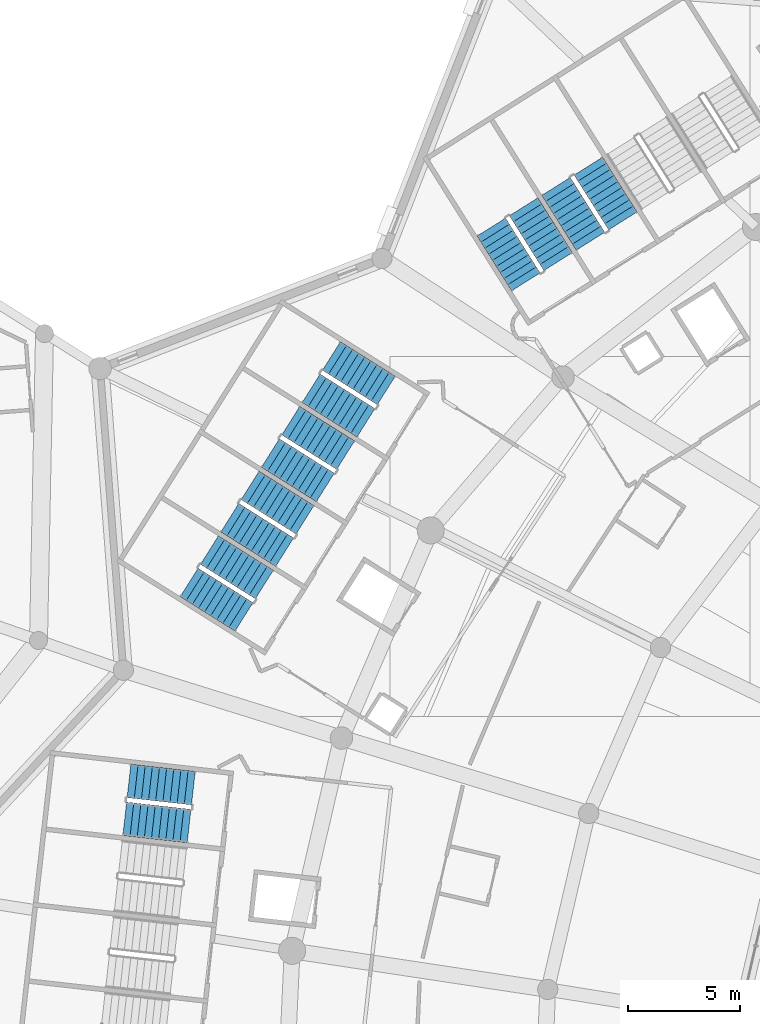
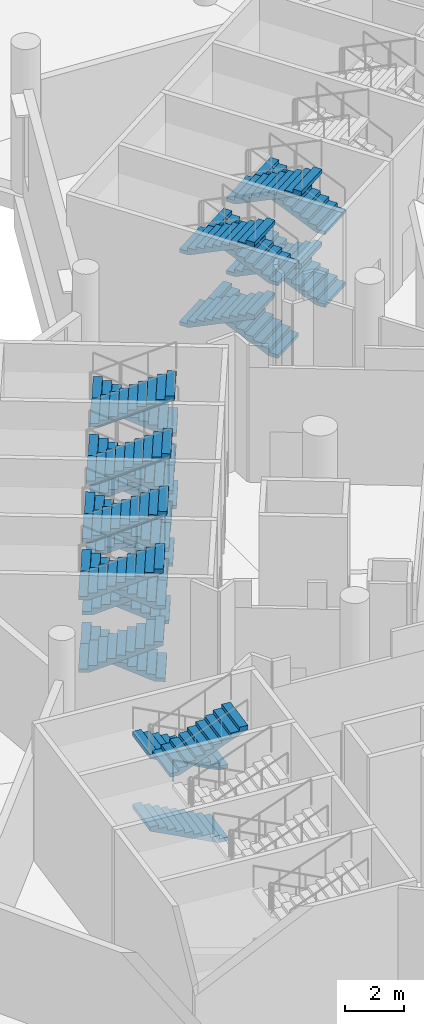
# One storey, part 192 of 249: 27 stair flights, 7 elements without a shape of their own.
"""IFC4 building model written with IfcOpenShell, lengths in metres."""

from ifc_helpers import new_model, si_unit, direction, frame, origin, place, context, subcontext, project, spatial, polyline, outline, extrude, material, type_object, element, aggregate, save


model = new_model("IFC4")

# Units and contexts
model_context = context("Model", 3, precision=1e-05, world=origin(), true_north=direction((0.0, 1.0)))
body_context = subcontext(model_context, "Body", "Model", "MODEL_VIEW")
ifc_project = project(units=[si_unit("LENGTHUNIT", "METRE"), si_unit("AREAUNIT", "SQUARE_METRE"), si_unit("VOLUMEUNIT", "CUBIC_METRE"), si_unit("PLANEANGLEUNIT", "RADIAN"), si_unit("MASSUNIT", "GRAM", prefix="KILO")], contexts=[model_context])

# Site, building, storey
site_placement = place(None, origin())
site = spatial("IfcSite", under=ifc_project, at=site_placement, CompositionType="ELEMENT")
building_placement = place(site_placement, origin())
building = spatial("IfcBuilding", under=site, at=building_placement, Name="Meseta Stadium", CompositionType="ELEMENT")
storey_placement = place(building_placement, frame((0.0, 0.0, 12.0)))
storey = spatial("IfcBuildingStorey", under=building, at=storey_placement, Name="L02", CompositionType="ELEMENT", Elevation=12.0)

# Stair, stair flights
ifc_material_1 = material(Name="Concrete C40/50", Category="concrete")
stair_type = type_object("IfcStairType", Name="Exit stair 4 flights 150 mm risers", PredefinedType="HALF_TURN_STAIR", material=ifc_material_1)
stair_1_placement = place(storey_placement, origin())
stair_1 = element("IfcStair", 1, at=stair_1_placement, inside=storey, type_object=stair_type, Name="ST51 L02", PredefinedType="HALF_TURN_STAIR")
ifc_material_2 = material(Name="Concrete C40/50", Category="concrete")
stair_flight_type = type_object("IfcStairFlightType", Name="Exit stair flight 150 mm risers, 4 per storey", PredefinedType="STRAIGHT", material=ifc_material_2)
stair_flight_1_placement = place(storey_placement, frame((-69.650390625, 86.04150390625, 0.0), z_axis=(0.0, 0.0, 1.0), x_axis=(-0.532032074404, 0.846724200555, 0.0)))
stair_flight_1 = element("IfcStairFlight", 2, at=stair_flight_1_placement, type_object=stair_flight_type, Name="ST51 L02 flight 1", NumberOfRisers=10, NumberOfTreads=9, PredefinedType="STRAIGHT", RiserHeight=0.15, TreadLength=0.32, context=body_context, shape_type="SweptSolid", body=[
    extrude(outline(polyline([(0.0, 0.0), (0.0, 0.14990234375), (0.320068359375, 0.14990234375), (0.320068359375, 0.300048828125), (0.639892578125, 0.300048828125), (0.639892578125, 0.449951171875), (0.9599609375, 0.449951171875), (0.9599609375, 0.60009765625), (1.280029296875, 0.60009765625), (1.280029296875, 0.75), (1.60009765625, 0.75), (1.60009765625, 0.89990234375), (1.919921875, 0.89990234375), (1.919921875, 1.050048828125), (2.239990234375, 1.050048828125), (2.239990234375, 1.199951171875), (2.56005859375, 1.199951171875), (2.56005859375, 1.35009765625), (2.8798828125, 1.35009765625), (2.8798828125, 1.184326171875), (0.353271484375, 0.0), (0.0, 0.0)])), frame((0.0, 0.75, 0.0), z_axis=(0.0, -1.0, 0.0), x_axis=(1.0, 0.0, 0.0)), (0.0, 0.0, 1.0), 1.5),
])
stair_flight_2_placement = place(storey_placement, frame((-72.6220703125, 87.57568359375, 1.5), z_axis=(0.0, 0.0, 1.0), x_axis=(0.532032074404, -0.846724200555, 0.0)))
stair_flight_2 = element("IfcStairFlight", 3, at=stair_flight_2_placement, type_object=stair_flight_type, Name="ST51 L02 flight 2", NumberOfRisers=10, NumberOfTreads=9, PredefinedType="STRAIGHT", RiserHeight=0.15, TreadLength=0.32, context=body_context, shape_type="SweptSolid", body=[
    extrude(outline(polyline([(0.0, 0.0), (0.0, 0.14990234375), (0.320068359375, 0.14990234375), (0.320068359375, 0.300048828125), (0.639892578125, 0.300048828125), (0.639892578125, 0.449951171875), (0.9599609375, 0.449951171875), (0.9599609375, 0.60009765625), (1.280029296875, 0.60009765625), (1.280029296875, 0.75), (1.60009765625, 0.75), (1.60009765625, 0.89990234375), (1.919921875, 0.89990234375), (1.919921875, 1.050048828125), (2.239990234375, 1.050048828125), (2.239990234375, 1.199951171875), (2.56005859375, 1.199951171875), (2.56005859375, 1.35009765625), (2.8798828125, 1.35009765625), (2.8798828125, 1.184326171875), (0.353271484375, 0.0), (0.0, 0.0)])), frame((0.0, 0.75, 0.0), z_axis=(0.0, -1.0, 0.0), x_axis=(1.0, 0.0, 0.0)), (0.0, 0.0, 1.0), 1.5),
])
stair_flight_3_placement = place(storey_placement, frame((-69.650390625, 86.04150390625, 3.0), z_axis=(0.0, 0.0, 1.0), x_axis=(-0.532032074404, 0.846724200555, 0.0)))
stair_flight_3 = element("IfcStairFlight", 4, at=stair_flight_3_placement, type_object=stair_flight_type, Name="ST51 L02 flight 3", NumberOfRisers=10, NumberOfTreads=9, PredefinedType="STRAIGHT", RiserHeight=0.15, TreadLength=0.32, context=body_context, shape_type="SweptSolid", body=[
    extrude(outline(polyline([(0.0, 0.0), (0.0, 0.14990234375), (0.320068359375, 0.14990234375), (0.320068359375, 0.300048828125), (0.639892578125, 0.300048828125), (0.639892578125, 0.449951171875), (0.9599609375, 0.449951171875), (0.9599609375, 0.60009765625), (1.280029296875, 0.60009765625), (1.280029296875, 0.75), (1.60009765625, 0.75), (1.60009765625, 0.89990234375), (1.919921875, 0.89990234375), (1.919921875, 1.050048828125), (2.239990234375, 1.050048828125), (2.239990234375, 1.199951171875), (2.56005859375, 1.199951171875), (2.56005859375, 1.35009765625), (2.8798828125, 1.35009765625), (2.8798828125, 1.184326171875), (0.353271484375, 0.0), (0.0, 0.0)])), frame((0.0, 0.75, 0.0), z_axis=(0.0, -1.0, 0.0), x_axis=(1.0, 0.0, 0.0)), (0.0, 0.0, 1.0), 1.5),
])
stair_flight_4_placement = place(storey_placement, frame((-72.6220703125, 87.57568359375, 4.5), z_axis=(0.0, 0.0, 1.0), x_axis=(0.532032074404, -0.846724200555, 0.0)))
stair_flight_4 = element("IfcStairFlight", 5, at=stair_flight_4_placement, type_object=stair_flight_type, Name="ST51 L02 flight 4", NumberOfRisers=10, NumberOfTreads=9, PredefinedType="STRAIGHT", RiserHeight=0.15, TreadLength=0.32, context=body_context, shape_type="SweptSolid", body=[
    extrude(outline(polyline([(0.0, 0.0), (0.0, 0.14990234375), (0.320068359375, 0.14990234375), (0.320068359375, 0.300048828125), (0.639892578125, 0.300048828125), (0.639892578125, 0.449951171875), (0.9599609375, 0.449951171875), (0.9599609375, 0.60009765625), (1.280029296875, 0.60009765625), (1.280029296875, 0.75), (1.60009765625, 0.75), (1.60009765625, 0.89990234375), (1.919921875, 0.89990234375), (1.919921875, 1.050048828125), (2.239990234375, 1.050048828125), (2.239990234375, 1.199951171875), (2.56005859375, 1.199951171875), (2.56005859375, 1.35009765625), (2.8798828125, 1.35009765625), (2.8798828125, 1.184326171875), (0.353271484375, 0.0), (0.0, 0.0)])), frame((0.0, 0.75, 0.0), z_axis=(0.0, -1.0, 0.0), x_axis=(1.0, 0.0, 0.0)), (0.0, 0.0, 1.0), 1.5),
])
aggregate(stair_1, [stair_flight_1, stair_flight_2, stair_flight_3, stair_flight_4])

stair_2_placement = place(storey_placement, origin())
stair_2 = element("IfcStair", 6, at=stair_2_placement, inside=storey, type_object=stair_type, Name="ST52 L02", PredefinedType="HALF_TURN_STAIR")
stair_flight_5_placement = place(storey_placement, frame((-72.529052734375, 84.232666015625, 0.0), z_axis=(0.0, 0.0, 1.0), x_axis=(-0.532032074404, 0.846724200555, 0.0)))
stair_flight_5 = element("IfcStairFlight", 7, at=stair_flight_5_placement, type_object=stair_flight_type, Name="ST52 L02 flight 1", NumberOfRisers=10, NumberOfTreads=9, PredefinedType="STRAIGHT", RiserHeight=0.15, TreadLength=0.32, context=body_context, shape_type="SweptSolid", body=[
    extrude(outline(polyline([(0.0, 0.0), (0.0, 0.14990234375), (0.320068359375, 0.14990234375), (0.320068359375, 0.300048828125), (0.639892578125, 0.300048828125), (0.639892578125, 0.449951171875), (0.9599609375, 0.449951171875), (0.9599609375, 0.60009765625), (1.280029296875, 0.60009765625), (1.280029296875, 0.75), (1.60009765625, 0.75), (1.60009765625, 0.89990234375), (1.919921875, 0.89990234375), (1.919921875, 1.050048828125), (2.239990234375, 1.050048828125), (2.239990234375, 1.199951171875), (2.56005859375, 1.199951171875), (2.56005859375, 1.35009765625), (2.8798828125, 1.35009765625), (2.8798828125, 1.184326171875), (0.353271484375, 0.0), (0.0, 0.0)])), frame((0.0, 0.75, 0.0), z_axis=(0.0, -1.0, 0.0), x_axis=(1.0, 0.0, 0.0)), (0.0, 0.0, 1.0), 1.5),
])
stair_flight_6_placement = place(storey_placement, frame((-75.500732421875, 85.766845703125, 1.5), z_axis=(0.0, 0.0, 1.0), x_axis=(0.532032074404, -0.846724200555, 0.0)))
stair_flight_6 = element("IfcStairFlight", 8, at=stair_flight_6_placement, type_object=stair_flight_type, Name="ST52 L02 flight 2", NumberOfRisers=10, NumberOfTreads=9, PredefinedType="STRAIGHT", RiserHeight=0.15, TreadLength=0.32, context=body_context, shape_type="SweptSolid", body=[
    extrude(outline(polyline([(0.0, 0.0), (0.0, 0.14990234375), (0.320068359375, 0.14990234375), (0.320068359375, 0.300048828125), (0.639892578125, 0.300048828125), (0.639892578125, 0.449951171875), (0.9599609375, 0.449951171875), (0.9599609375, 0.60009765625), (1.280029296875, 0.60009765625), (1.280029296875, 0.75), (1.60009765625, 0.75), (1.60009765625, 0.89990234375), (1.919921875, 0.89990234375), (1.919921875, 1.050048828125), (2.239990234375, 1.050048828125), (2.239990234375, 1.199951171875), (2.56005859375, 1.199951171875), (2.56005859375, 1.35009765625), (2.8798828125, 1.35009765625), (2.8798828125, 1.184326171875), (0.353271484375, 0.0), (0.0, 0.0)])), frame((0.0, 0.75, 0.0), z_axis=(0.0, -1.0, 0.0), x_axis=(1.0, 0.0, 0.0)), (0.0, 0.0, 1.0), 1.5),
])
stair_flight_7_placement = place(storey_placement, frame((-72.529052734375, 84.232666015625, 3.0), z_axis=(0.0, 0.0, 1.0), x_axis=(-0.532032074404, 0.846724200555, 0.0)))
stair_flight_7 = element("IfcStairFlight", 9, at=stair_flight_7_placement, type_object=stair_flight_type, Name="ST52 L02 flight 3", NumberOfRisers=10, NumberOfTreads=9, PredefinedType="STRAIGHT", RiserHeight=0.15, TreadLength=0.32, context=body_context, shape_type="SweptSolid", body=[
    extrude(outline(polyline([(0.0, 0.0), (0.0, 0.14990234375), (0.320068359375, 0.14990234375), (0.320068359375, 0.300048828125), (0.639892578125, 0.300048828125), (0.639892578125, 0.449951171875), (0.9599609375, 0.449951171875), (0.9599609375, 0.60009765625), (1.280029296875, 0.60009765625), (1.280029296875, 0.75), (1.60009765625, 0.75), (1.60009765625, 0.89990234375), (1.919921875, 0.89990234375), (1.919921875, 1.050048828125), (2.239990234375, 1.050048828125), (2.239990234375, 1.199951171875), (2.56005859375, 1.199951171875), (2.56005859375, 1.35009765625), (2.8798828125, 1.35009765625), (2.8798828125, 1.184326171875), (0.353271484375, 0.0), (0.0, 0.0)])), frame((0.0, 0.75, 0.0), z_axis=(0.0, -1.0, 0.0), x_axis=(1.0, 0.0, 0.0)), (0.0, 0.0, 1.0), 1.5),
])
stair_flight_8_placement = place(storey_placement, frame((-75.500732421875, 85.766845703125, 4.5), z_axis=(0.0, 0.0, 1.0), x_axis=(0.532032074404, -0.846724200555, 0.0)))
stair_flight_8 = element("IfcStairFlight", 10, at=stair_flight_8_placement, type_object=stair_flight_type, Name="ST52 L02 flight 4", NumberOfRisers=10, NumberOfTreads=9, PredefinedType="STRAIGHT", RiserHeight=0.15, TreadLength=0.32, context=body_context, shape_type="SweptSolid", body=[
    extrude(outline(polyline([(0.0, 0.0), (0.0, 0.14990234375), (0.320068359375, 0.14990234375), (0.320068359375, 0.300048828125), (0.639892578125, 0.300048828125), (0.639892578125, 0.449951171875), (0.9599609375, 0.449951171875), (0.9599609375, 0.60009765625), (1.280029296875, 0.60009765625), (1.280029296875, 0.75), (1.60009765625, 0.75), (1.60009765625, 0.89990234375), (1.919921875, 0.89990234375), (1.919921875, 1.050048828125), (2.239990234375, 1.050048828125), (2.239990234375, 1.199951171875), (2.56005859375, 1.199951171875), (2.56005859375, 1.35009765625), (2.8798828125, 1.35009765625), (2.8798828125, 1.184326171875), (0.353271484375, 0.0), (0.0, 0.0)])), frame((0.0, 0.75, 0.0), z_axis=(0.0, -1.0, 0.0), x_axis=(1.0, 0.0, 0.0)), (0.0, 0.0, 1.0), 1.5),
])
aggregate(stair_2, [stair_flight_5, stair_flight_6, stair_flight_7, stair_flight_8])

stair_3_placement = place(storey_placement, origin())
stair_3 = element("IfcStair", 11, at=stair_3_placement, inside=storey, type_object=stair_type, Name="ST53 L02", PredefinedType="HALF_TURN_STAIR")
stair_flight_9_placement = place(storey_placement, frame((-80.175048828125, 78.500732421875, 0.0), z_axis=(0.0, 0.0, 1.0), x_axis=(-0.846724200555, 0.532032074404, 0.0)))
stair_flight_9 = element("IfcStairFlight", 12, at=stair_flight_9_placement, type_object=stair_flight_type, Name="ST53 L02 flight 1", NumberOfRisers=10, NumberOfTreads=9, PredefinedType="STRAIGHT", RiserHeight=0.15, TreadLength=0.32, context=body_context, shape_type="SweptSolid", body=[
    extrude(outline(polyline([(0.0, 0.0), (0.0, 0.14990234375), (0.320068359375, 0.14990234375), (0.320068359375, 0.300048828125), (0.639892578125, 0.300048828125), (0.639892578125, 0.449951171875), (0.9599609375, 0.449951171875), (0.9599609375, 0.60009765625), (1.280029296875, 0.60009765625), (1.280029296875, 0.75), (1.60009765625, 0.75), (1.60009765625, 0.89990234375), (1.919921875, 0.89990234375), (1.919921875, 1.050048828125), (2.239990234375, 1.050048828125), (2.239990234375, 1.199951171875), (2.56005859375, 1.199951171875), (2.56005859375, 1.35009765625), (2.8798828125, 1.35009765625), (2.8798828125, 1.184326171875), (0.353271484375, 0.0), (0.0, 0.0)])), frame((0.0, 0.75, 0.0), z_axis=(0.0, -1.0, 0.0), x_axis=(1.0, 0.0, 0.0)), (0.0, 0.0, 1.0), 1.5),
])
stair_flight_10_placement = place(storey_placement, frame((-83.51806640625, 78.593505859375, 1.5), z_axis=(0.0, 0.0, 1.0), x_axis=(0.846724200555, -0.532032074404, 0.0)))
stair_flight_10 = element("IfcStairFlight", 13, at=stair_flight_10_placement, type_object=stair_flight_type, Name="ST53 L02 flight 2", NumberOfRisers=10, NumberOfTreads=9, PredefinedType="STRAIGHT", RiserHeight=0.15, TreadLength=0.32, context=body_context, shape_type="SweptSolid", body=[
    extrude(outline(polyline([(0.0, 0.0), (0.0, 0.14990234375), (0.320068359375, 0.14990234375), (0.320068359375, 0.300048828125), (0.639892578125, 0.300048828125), (0.639892578125, 0.449951171875), (0.9599609375, 0.449951171875), (0.9599609375, 0.60009765625), (1.280029296875, 0.60009765625), (1.280029296875, 0.75), (1.60009765625, 0.75), (1.60009765625, 0.89990234375), (1.919921875, 0.89990234375), (1.919921875, 1.050048828125), (2.239990234375, 1.050048828125), (2.239990234375, 1.199951171875), (2.56005859375, 1.199951171875), (2.56005859375, 1.35009765625), (2.8798828125, 1.35009765625), (2.8798828125, 1.184326171875), (0.353271484375, 0.0), (0.0, 0.0)])), frame((0.0, 0.75, 0.0), z_axis=(0.0, -1.0, 0.0), x_axis=(1.0, 0.0, 0.0)), (0.0, 0.0, 1.0), 1.5),
])
stair_flight_11_placement = place(storey_placement, frame((-80.175048828125, 78.500732421875, 3.0), z_axis=(0.0, 0.0, 1.0), x_axis=(-0.846724200555, 0.532032074404, 0.0)))
stair_flight_11 = element("IfcStairFlight", 14, at=stair_flight_11_placement, type_object=stair_flight_type, Name="ST53 L02 flight 3", NumberOfRisers=10, NumberOfTreads=9, PredefinedType="STRAIGHT", RiserHeight=0.15, TreadLength=0.32, context=body_context, shape_type="SweptSolid", body=[
    extrude(outline(polyline([(0.0, 0.0), (0.0, 0.14990234375), (0.320068359375, 0.14990234375), (0.320068359375, 0.300048828125), (0.639892578125, 0.300048828125), (0.639892578125, 0.449951171875), (0.9599609375, 0.449951171875), (0.9599609375, 0.60009765625), (1.280029296875, 0.60009765625), (1.280029296875, 0.75), (1.60009765625, 0.75), (1.60009765625, 0.89990234375), (1.919921875, 0.89990234375), (1.919921875, 1.050048828125), (2.239990234375, 1.050048828125), (2.239990234375, 1.199951171875), (2.56005859375, 1.199951171875), (2.56005859375, 1.35009765625), (2.8798828125, 1.35009765625), (2.8798828125, 1.184326171875), (0.353271484375, 0.0), (0.0, 0.0)])), frame((0.0, 0.75, 0.0), z_axis=(0.0, -1.0, 0.0), x_axis=(1.0, 0.0, 0.0)), (0.0, 0.0, 1.0), 1.5),
])
stair_flight_12_placement = place(storey_placement, frame((-83.51806640625, 78.593505859375, 4.5), z_axis=(0.0, 0.0, 1.0), x_axis=(0.846724200555, -0.532032074404, 0.0)))
stair_flight_12 = element("IfcStairFlight", 15, at=stair_flight_12_placement, type_object=stair_flight_type, Name="ST53 L02 flight 4", NumberOfRisers=10, NumberOfTreads=9, PredefinedType="STRAIGHT", RiserHeight=0.15, TreadLength=0.32, context=body_context, shape_type="SweptSolid", body=[
    extrude(outline(polyline([(0.0, 0.0), (0.0, 0.14990234375), (0.320068359375, 0.14990234375), (0.320068359375, 0.300048828125), (0.639892578125, 0.300048828125), (0.639892578125, 0.449951171875), (0.9599609375, 0.449951171875), (0.9599609375, 0.60009765625), (1.280029296875, 0.60009765625), (1.280029296875, 0.75), (1.60009765625, 0.75), (1.60009765625, 0.89990234375), (1.919921875, 0.89990234375), (1.919921875, 1.050048828125), (2.239990234375, 1.050048828125), (2.239990234375, 1.199951171875), (2.56005859375, 1.199951171875), (2.56005859375, 1.35009765625), (2.8798828125, 1.35009765625), (2.8798828125, 1.184326171875), (0.353271484375, 0.0), (0.0, 0.0)])), frame((0.0, 0.75, 0.0), z_axis=(0.0, -1.0, 0.0), x_axis=(1.0, 0.0, 0.0)), (0.0, 0.0, 1.0), 1.5),
])
aggregate(stair_3, [stair_flight_9, stair_flight_10, stair_flight_11, stair_flight_12])

stair_4_placement = place(storey_placement, origin())
stair_4 = element("IfcStair", 16, at=stair_4_placement, inside=storey, type_object=stair_type, Name="ST54 L02", PredefinedType="HALF_TURN_STAIR")
stair_flight_13_placement = place(storey_placement, frame((-81.98388671875, 75.621826171875, 0.0), z_axis=(0.0, 0.0, 1.0), x_axis=(-0.846724200555, 0.532032074404, 0.0)))
stair_flight_13 = element("IfcStairFlight", 17, at=stair_flight_13_placement, type_object=stair_flight_type, Name="ST54 L02 flight 1", NumberOfRisers=10, NumberOfTreads=9, PredefinedType="STRAIGHT", RiserHeight=0.15, TreadLength=0.32, context=body_context, shape_type="SweptSolid", body=[
    extrude(outline(polyline([(0.0, 0.0), (0.0, 0.14990234375), (0.320068359375, 0.14990234375), (0.320068359375, 0.300048828125), (0.639892578125, 0.300048828125), (0.639892578125, 0.449951171875), (0.9599609375, 0.449951171875), (0.9599609375, 0.60009765625), (1.280029296875, 0.60009765625), (1.280029296875, 0.75), (1.60009765625, 0.75), (1.60009765625, 0.89990234375), (1.919921875, 0.89990234375), (1.919921875, 1.050048828125), (2.239990234375, 1.050048828125), (2.239990234375, 1.199951171875), (2.56005859375, 1.199951171875), (2.56005859375, 1.35009765625), (2.8798828125, 1.35009765625), (2.8798828125, 1.184326171875), (0.353271484375, 0.0), (0.0, 0.0)])), frame((0.0, 0.75, 0.0), z_axis=(0.0, -1.0, 0.0), x_axis=(1.0, 0.0, 0.0)), (0.0, 0.0, 1.0), 1.5),
])
stair_flight_14_placement = place(storey_placement, frame((-85.326904296875, 75.714599609375, 1.5), z_axis=(0.0, 0.0, 1.0), x_axis=(0.846724200555, -0.532032074404, 0.0)))
stair_flight_14 = element("IfcStairFlight", 18, at=stair_flight_14_placement, type_object=stair_flight_type, Name="ST54 L02 flight 2", NumberOfRisers=10, NumberOfTreads=9, PredefinedType="STRAIGHT", RiserHeight=0.15, TreadLength=0.32, context=body_context, shape_type="SweptSolid", body=[
    extrude(outline(polyline([(0.0, 0.0), (0.0, 0.14990234375), (0.320068359375, 0.14990234375), (0.320068359375, 0.300048828125), (0.639892578125, 0.300048828125), (0.639892578125, 0.449951171875), (0.9599609375, 0.449951171875), (0.9599609375, 0.60009765625), (1.280029296875, 0.60009765625), (1.280029296875, 0.75), (1.60009765625, 0.75), (1.60009765625, 0.89990234375), (1.919921875, 0.89990234375), (1.919921875, 1.050048828125), (2.239990234375, 1.050048828125), (2.239990234375, 1.199951171875), (2.56005859375, 1.199951171875), (2.56005859375, 1.35009765625), (2.8798828125, 1.35009765625), (2.8798828125, 1.184326171875), (0.353271484375, 0.0), (0.0, 0.0)])), frame((0.0, 0.75, 0.0), z_axis=(0.0, -1.0, 0.0), x_axis=(1.0, 0.0, 0.0)), (0.0, 0.0, 1.0), 1.5),
])
stair_flight_15_placement = place(storey_placement, frame((-81.98388671875, 75.621826171875, 3.0), z_axis=(0.0, 0.0, 1.0), x_axis=(-0.846724200555, 0.532032074404, 0.0)))
stair_flight_15 = element("IfcStairFlight", 19, at=stair_flight_15_placement, type_object=stair_flight_type, Name="ST54 L02 flight 3", NumberOfRisers=10, NumberOfTreads=9, PredefinedType="STRAIGHT", RiserHeight=0.15, TreadLength=0.32, context=body_context, shape_type="SweptSolid", body=[
    extrude(outline(polyline([(0.0, 0.0), (0.0, 0.14990234375), (0.320068359375, 0.14990234375), (0.320068359375, 0.300048828125), (0.639892578125, 0.300048828125), (0.639892578125, 0.449951171875), (0.9599609375, 0.449951171875), (0.9599609375, 0.60009765625), (1.280029296875, 0.60009765625), (1.280029296875, 0.75), (1.60009765625, 0.75), (1.60009765625, 0.89990234375), (1.919921875, 0.89990234375), (1.919921875, 1.050048828125), (2.239990234375, 1.050048828125), (2.239990234375, 1.199951171875), (2.56005859375, 1.199951171875), (2.56005859375, 1.35009765625), (2.8798828125, 1.35009765625), (2.8798828125, 1.184326171875), (0.353271484375, 0.0), (0.0, 0.0)])), frame((0.0, 0.75, 0.0), z_axis=(0.0, -1.0, 0.0), x_axis=(1.0, 0.0, 0.0)), (0.0, 0.0, 1.0), 1.5),
])
stair_flight_16_placement = place(storey_placement, frame((-85.326904296875, 75.714599609375, 4.5), z_axis=(0.0, 0.0, 1.0), x_axis=(0.846724200555, -0.532032074404, 0.0)))
stair_flight_16 = element("IfcStairFlight", 20, at=stair_flight_16_placement, type_object=stair_flight_type, Name="ST54 L02 flight 4", NumberOfRisers=10, NumberOfTreads=9, PredefinedType="STRAIGHT", RiserHeight=0.15, TreadLength=0.32, context=body_context, shape_type="SweptSolid", body=[
    extrude(outline(polyline([(0.0, 0.0), (0.0, 0.14990234375), (0.320068359375, 0.14990234375), (0.320068359375, 0.300048828125), (0.639892578125, 0.300048828125), (0.639892578125, 0.449951171875), (0.9599609375, 0.449951171875), (0.9599609375, 0.60009765625), (1.280029296875, 0.60009765625), (1.280029296875, 0.75), (1.60009765625, 0.75), (1.60009765625, 0.89990234375), (1.919921875, 0.89990234375), (1.919921875, 1.050048828125), (2.239990234375, 1.050048828125), (2.239990234375, 1.199951171875), (2.56005859375, 1.199951171875), (2.56005859375, 1.35009765625), (2.8798828125, 1.35009765625), (2.8798828125, 1.184326171875), (0.353271484375, 0.0), (0.0, 0.0)])), frame((0.0, 0.75, 0.0), z_axis=(0.0, -1.0, 0.0), x_axis=(1.0, 0.0, 0.0)), (0.0, 0.0, 1.0), 1.5),
])
aggregate(stair_4, [stair_flight_13, stair_flight_14, stair_flight_15, stair_flight_16])

stair_5_placement = place(storey_placement, origin())
stair_5 = element("IfcStair", 21, at=stair_5_placement, inside=storey, type_object=stair_type, Name="ST55 L02", PredefinedType="HALF_TURN_STAIR")
stair_flight_17_placement = place(storey_placement, frame((-83.792724609375, 72.742919921875, 0.0), z_axis=(0.0, 0.0, 1.0), x_axis=(-0.846724200555, 0.532032074404, 0.0)))
stair_flight_17 = element("IfcStairFlight", 22, at=stair_flight_17_placement, type_object=stair_flight_type, Name="ST55 L02 flight 1", NumberOfRisers=10, NumberOfTreads=9, PredefinedType="STRAIGHT", RiserHeight=0.15, TreadLength=0.32, context=body_context, shape_type="SweptSolid", body=[
    extrude(outline(polyline([(0.0, 0.0), (0.0, 0.14990234375), (0.320068359375, 0.14990234375), (0.320068359375, 0.300048828125), (0.639892578125, 0.300048828125), (0.639892578125, 0.449951171875), (0.9599609375, 0.449951171875), (0.9599609375, 0.60009765625), (1.280029296875, 0.60009765625), (1.280029296875, 0.75), (1.60009765625, 0.75), (1.60009765625, 0.89990234375), (1.919921875, 0.89990234375), (1.919921875, 1.050048828125), (2.239990234375, 1.050048828125), (2.239990234375, 1.199951171875), (2.56005859375, 1.199951171875), (2.56005859375, 1.35009765625), (2.8798828125, 1.35009765625), (2.8798828125, 1.184326171875), (0.353271484375, 0.0), (0.0, 0.0)])), frame((0.0, 0.75, 0.0), z_axis=(0.0, -1.0, 0.0), x_axis=(1.0, 0.0, 0.0)), (0.0, 0.0, 1.0), 1.5),
])
stair_flight_18_placement = place(storey_placement, frame((-87.1357421875, 72.835693359375, 1.5), z_axis=(0.0, 0.0, 1.0), x_axis=(0.846724200555, -0.532032074404, 0.0)))
stair_flight_18 = element("IfcStairFlight", 23, at=stair_flight_18_placement, type_object=stair_flight_type, Name="ST55 L02 flight 2", NumberOfRisers=10, NumberOfTreads=9, PredefinedType="STRAIGHT", RiserHeight=0.15, TreadLength=0.32, context=body_context, shape_type="SweptSolid", body=[
    extrude(outline(polyline([(0.0, 0.0), (0.0, 0.14990234375), (0.320068359375, 0.14990234375), (0.320068359375, 0.300048828125), (0.639892578125, 0.300048828125), (0.639892578125, 0.449951171875), (0.9599609375, 0.449951171875), (0.9599609375, 0.60009765625), (1.280029296875, 0.60009765625), (1.280029296875, 0.75), (1.60009765625, 0.75), (1.60009765625, 0.89990234375), (1.919921875, 0.89990234375), (1.919921875, 1.050048828125), (2.239990234375, 1.050048828125), (2.239990234375, 1.199951171875), (2.56005859375, 1.199951171875), (2.56005859375, 1.35009765625), (2.8798828125, 1.35009765625), (2.8798828125, 1.184326171875), (0.353271484375, 0.0), (0.0, 0.0)])), frame((0.0, 0.75, 0.0), z_axis=(0.0, -1.0, 0.0), x_axis=(1.0, 0.0, 0.0)), (0.0, 0.0, 1.0), 1.5),
])
stair_flight_19_placement = place(storey_placement, frame((-83.792724609375, 72.742919921875, 3.0), z_axis=(0.0, 0.0, 1.0), x_axis=(-0.846724200555, 0.532032074404, 0.0)))
stair_flight_19 = element("IfcStairFlight", 24, at=stair_flight_19_placement, type_object=stair_flight_type, Name="ST55 L02 flight 3", NumberOfRisers=10, NumberOfTreads=9, PredefinedType="STRAIGHT", RiserHeight=0.15, TreadLength=0.32, context=body_context, shape_type="SweptSolid", body=[
    extrude(outline(polyline([(0.0, 0.0), (0.0, 0.14990234375), (0.320068359375, 0.14990234375), (0.320068359375, 0.300048828125), (0.639892578125, 0.300048828125), (0.639892578125, 0.449951171875), (0.9599609375, 0.449951171875), (0.9599609375, 0.60009765625), (1.280029296875, 0.60009765625), (1.280029296875, 0.75), (1.60009765625, 0.75), (1.60009765625, 0.89990234375), (1.919921875, 0.89990234375), (1.919921875, 1.050048828125), (2.239990234375, 1.050048828125), (2.239990234375, 1.199951171875), (2.56005859375, 1.199951171875), (2.56005859375, 1.35009765625), (2.8798828125, 1.35009765625), (2.8798828125, 1.184326171875), (0.353271484375, 0.0), (0.0, 0.0)])), frame((0.0, 0.75, 0.0), z_axis=(0.0, -1.0, 0.0), x_axis=(1.0, 0.0, 0.0)), (0.0, 0.0, 1.0), 1.5),
])
stair_flight_20_placement = place(storey_placement, frame((-87.1357421875, 72.835693359375, 4.5), z_axis=(0.0, 0.0, 1.0), x_axis=(0.846724200555, -0.532032074404, 0.0)))
stair_flight_20 = element("IfcStairFlight", 25, at=stair_flight_20_placement, type_object=stair_flight_type, Name="ST55 L02 flight 4", NumberOfRisers=10, NumberOfTreads=9, PredefinedType="STRAIGHT", RiserHeight=0.15, TreadLength=0.32, context=body_context, shape_type="SweptSolid", body=[
    extrude(outline(polyline([(0.0, 0.0), (0.0, 0.14990234375), (0.320068359375, 0.14990234375), (0.320068359375, 0.300048828125), (0.639892578125, 0.300048828125), (0.639892578125, 0.449951171875), (0.9599609375, 0.449951171875), (0.9599609375, 0.60009765625), (1.280029296875, 0.60009765625), (1.280029296875, 0.75), (1.60009765625, 0.75), (1.60009765625, 0.89990234375), (1.919921875, 0.89990234375), (1.919921875, 1.050048828125), (2.239990234375, 1.050048828125), (2.239990234375, 1.199951171875), (2.56005859375, 1.199951171875), (2.56005859375, 1.35009765625), (2.8798828125, 1.35009765625), (2.8798828125, 1.184326171875), (0.353271484375, 0.0), (0.0, 0.0)])), frame((0.0, 0.75, 0.0), z_axis=(0.0, -1.0, 0.0), x_axis=(1.0, 0.0, 0.0)), (0.0, 0.0, 1.0), 1.5),
])
aggregate(stair_5, [stair_flight_17, stair_flight_18, stair_flight_19, stair_flight_20])

stair_6_placement = place(storey_placement, origin())
stair_6 = element("IfcStair", 26, at=stair_6_placement, inside=storey, type_object=stair_type, Name="ST56 L02", PredefinedType="HALF_TURN_STAIR")
stair_flight_21_placement = place(storey_placement, frame((-85.6015625, 69.864013671875, 0.0), z_axis=(0.0, 0.0, 1.0), x_axis=(-0.846724200555, 0.532032074404, 0.0)))
stair_flight_21 = element("IfcStairFlight", 27, at=stair_flight_21_placement, type_object=stair_flight_type, Name="ST56 L02 flight 1", NumberOfRisers=10, NumberOfTreads=9, PredefinedType="STRAIGHT", RiserHeight=0.15, TreadLength=0.32, context=body_context, shape_type="SweptSolid", body=[
    extrude(outline(polyline([(0.0, 0.0), (0.0, 0.14990234375), (0.320068359375, 0.14990234375), (0.320068359375, 0.300048828125), (0.639892578125, 0.300048828125), (0.639892578125, 0.449951171875), (0.9599609375, 0.449951171875), (0.9599609375, 0.60009765625), (1.280029296875, 0.60009765625), (1.280029296875, 0.75), (1.60009765625, 0.75), (1.60009765625, 0.89990234375), (1.919921875, 0.89990234375), (1.919921875, 1.050048828125), (2.239990234375, 1.050048828125), (2.239990234375, 1.199951171875), (2.56005859375, 1.199951171875), (2.56005859375, 1.35009765625), (2.8798828125, 1.35009765625), (2.8798828125, 1.184326171875), (0.353271484375, 0.0), (0.0, 0.0)])), frame((0.0, 0.75, 0.0), z_axis=(0.0, -1.0, 0.0), x_axis=(1.0, 0.0, 0.0)), (0.0, 0.0, 1.0), 1.5),
])
stair_flight_22_placement = place(storey_placement, frame((-88.944580078125, 69.956787109375, 1.5), z_axis=(0.0, 0.0, 1.0), x_axis=(0.846724200555, -0.532032074404, 0.0)))
stair_flight_22 = element("IfcStairFlight", 28, at=stair_flight_22_placement, type_object=stair_flight_type, Name="ST56 L02 flight 2", NumberOfRisers=10, NumberOfTreads=9, PredefinedType="STRAIGHT", RiserHeight=0.15, TreadLength=0.32, context=body_context, shape_type="SweptSolid", body=[
    extrude(outline(polyline([(0.0, 0.0), (0.0, 0.14990234375), (0.320068359375, 0.14990234375), (0.320068359375, 0.300048828125), (0.639892578125, 0.300048828125), (0.639892578125, 0.449951171875), (0.9599609375, 0.449951171875), (0.9599609375, 0.60009765625), (1.280029296875, 0.60009765625), (1.280029296875, 0.75), (1.60009765625, 0.75), (1.60009765625, 0.89990234375), (1.919921875, 0.89990234375), (1.919921875, 1.050048828125), (2.239990234375, 1.050048828125), (2.239990234375, 1.199951171875), (2.56005859375, 1.199951171875), (2.56005859375, 1.35009765625), (2.8798828125, 1.35009765625), (2.8798828125, 1.184326171875), (0.353271484375, 0.0), (0.0, 0.0)])), frame((0.0, 0.75, 0.0), z_axis=(0.0, -1.0, 0.0), x_axis=(1.0, 0.0, 0.0)), (0.0, 0.0, 1.0), 1.5),
])
stair_flight_23_placement = place(storey_placement, frame((-85.6015625, 69.864013671875, 3.0), z_axis=(0.0, 0.0, 1.0), x_axis=(-0.846724200555, 0.532032074404, 0.0)))
stair_flight_23 = element("IfcStairFlight", 29, at=stair_flight_23_placement, type_object=stair_flight_type, Name="ST56 L02 flight 3", NumberOfRisers=10, NumberOfTreads=9, PredefinedType="STRAIGHT", RiserHeight=0.15, TreadLength=0.32, context=body_context, shape_type="SweptSolid", body=[
    extrude(outline(polyline([(0.0, 0.0), (0.0, 0.14990234375), (0.320068359375, 0.14990234375), (0.320068359375, 0.300048828125), (0.639892578125, 0.300048828125), (0.639892578125, 0.449951171875), (0.9599609375, 0.449951171875), (0.9599609375, 0.60009765625), (1.280029296875, 0.60009765625), (1.280029296875, 0.75), (1.60009765625, 0.75), (1.60009765625, 0.89990234375), (1.919921875, 0.89990234375), (1.919921875, 1.050048828125), (2.239990234375, 1.050048828125), (2.239990234375, 1.199951171875), (2.56005859375, 1.199951171875), (2.56005859375, 1.35009765625), (2.8798828125, 1.35009765625), (2.8798828125, 1.184326171875), (0.353271484375, 0.0), (0.0, 0.0)])), frame((0.0, 0.75, 0.0), z_axis=(0.0, -1.0, 0.0), x_axis=(1.0, 0.0, 0.0)), (0.0, 0.0, 1.0), 1.5),
])
stair_flight_24_placement = place(storey_placement, frame((-88.944580078125, 69.956787109375, 4.5), z_axis=(0.0, 0.0, 1.0), x_axis=(0.846724200555, -0.532032074404, 0.0)))
stair_flight_24 = element("IfcStairFlight", 30, at=stair_flight_24_placement, type_object=stair_flight_type, Name="ST56 L02 flight 4", NumberOfRisers=10, NumberOfTreads=9, PredefinedType="STRAIGHT", RiserHeight=0.15, TreadLength=0.32, context=body_context, shape_type="SweptSolid", body=[
    extrude(outline(polyline([(0.0, 0.0), (0.0, 0.14990234375), (0.320068359375, 0.14990234375), (0.320068359375, 0.300048828125), (0.639892578125, 0.300048828125), (0.639892578125, 0.449951171875), (0.9599609375, 0.449951171875), (0.9599609375, 0.60009765625), (1.280029296875, 0.60009765625), (1.280029296875, 0.75), (1.60009765625, 0.75), (1.60009765625, 0.89990234375), (1.919921875, 0.89990234375), (1.919921875, 1.050048828125), (2.239990234375, 1.050048828125), (2.239990234375, 1.199951171875), (2.56005859375, 1.199951171875), (2.56005859375, 1.35009765625), (2.8798828125, 1.35009765625), (2.8798828125, 1.184326171875), (0.353271484375, 0.0), (0.0, 0.0)])), frame((0.0, 0.75, 0.0), z_axis=(0.0, -1.0, 0.0), x_axis=(1.0, 0.0, 0.0)), (0.0, 0.0, 1.0), 1.5),
])
aggregate(stair_6, [stair_flight_21, stair_flight_22, stair_flight_23, stair_flight_24])

stair_7_placement = place(storey_placement, origin())
stair_7 = element("IfcStair", 31, at=stair_7_placement, inside=storey, type_object=stair_type, Name="ST57 L02", PredefinedType="HALF_TURN_STAIR")
stair_flight_25_placement = place(storey_placement, frame((-88.759033203125, 60.805419921875, 0.0), z_axis=(0.0, 0.0, 1.0), x_axis=(-0.993712210731, 0.11196446867, 0.0)))
stair_flight_25 = element("IfcStairFlight", 32, at=stair_flight_25_placement, type_object=stair_flight_type, Name="ST57 L02 flight 1", NumberOfRisers=10, NumberOfTreads=9, PredefinedType="STRAIGHT", RiserHeight=0.15, TreadLength=0.32, context=body_context, shape_type="SweptSolid", body=[
    extrude(outline(polyline([(0.0, 0.0), (0.0, 0.14990234375), (0.320068359375, 0.14990234375), (0.320068359375, 0.300048828125), (0.639892578125, 0.300048828125), (0.639892578125, 0.449951171875), (0.9599609375, 0.449951171875), (0.9599609375, 0.60009765625), (1.280029296875, 0.60009765625), (1.280029296875, 0.75), (1.60009765625, 0.75), (1.60009765625, 0.89990234375), (1.919921875, 0.89990234375), (1.919921875, 1.050048828125), (2.239990234375, 1.050048828125), (2.239990234375, 1.199951171875), (2.56005859375, 1.199951171875), (2.56005859375, 1.35009765625), (2.8798828125, 1.35009765625), (2.8798828125, 1.184326171875), (0.353271484375, 0.0), (0.0, 0.0)])), frame((0.0, 0.75, 0.0), z_axis=(0.0, -1.0, 0.0), x_axis=(1.0, 0.0, 0.0)), (0.0, 0.0, 1.0), 1.5),
])
stair_flight_26_placement = place(storey_placement, frame((-88.759033203125, 60.805419921875, 3.0), z_axis=(0.0, 0.0, 1.0), x_axis=(-0.993712210731, 0.11196446867, 0.0)))
stair_flight_26 = element("IfcStairFlight", 33, at=stair_flight_26_placement, type_object=stair_flight_type, Name="ST57 L02 flight 3", NumberOfRisers=10, NumberOfTreads=9, PredefinedType="STRAIGHT", RiserHeight=0.15, TreadLength=0.32, context=body_context, shape_type="SweptSolid", body=[
    extrude(outline(polyline([(0.0, 0.0), (0.0, 0.14990234375), (0.320068359375, 0.14990234375), (0.320068359375, 0.300048828125), (0.639892578125, 0.300048828125), (0.639892578125, 0.449951171875), (0.9599609375, 0.449951171875), (0.9599609375, 0.60009765625), (1.280029296875, 0.60009765625), (1.280029296875, 0.75), (1.60009765625, 0.75), (1.60009765625, 0.89990234375), (1.919921875, 0.89990234375), (1.919921875, 1.050048828125), (2.239990234375, 1.050048828125), (2.239990234375, 1.199951171875), (2.56005859375, 1.199951171875), (2.56005859375, 1.35009765625), (2.8798828125, 1.35009765625), (2.8798828125, 1.184326171875), (0.353271484375, 0.0), (0.0, 0.0)])), frame((0.0, 0.75, 0.0), z_axis=(0.0, -1.0, 0.0), x_axis=(1.0, 0.0, 0.0)), (0.0, 0.0, 1.0), 1.5),
])
stair_flight_27_placement = place(storey_placement, frame((-91.811279296875, 59.4384765625, 4.5), z_axis=(0.0, 0.0, 1.0), x_axis=(0.993712210731, -0.11196446867, 0.0)))
stair_flight_27 = element("IfcStairFlight", 34, at=stair_flight_27_placement, type_object=stair_flight_type, Name="ST57 L02 flight 4", NumberOfRisers=10, NumberOfTreads=9, PredefinedType="STRAIGHT", RiserHeight=0.15, TreadLength=0.32, context=body_context, shape_type="SweptSolid", body=[
    extrude(outline(polyline([(0.0, 0.0), (0.0, 0.14990234375), (0.320068359375, 0.14990234375), (0.320068359375, 0.300048828125), (0.639892578125, 0.300048828125), (0.639892578125, 0.449951171875), (0.9599609375, 0.449951171875), (0.9599609375, 0.60009765625), (1.280029296875, 0.60009765625), (1.280029296875, 0.75), (1.60009765625, 0.75), (1.60009765625, 0.89990234375), (1.919921875, 0.89990234375), (1.919921875, 1.050048828125), (2.239990234375, 1.050048828125), (2.239990234375, 1.199951171875), (2.56005859375, 1.199951171875), (2.56005859375, 1.35009765625), (2.8798828125, 1.35009765625), (2.8798828125, 1.184326171875), (0.353271484375, 0.0), (0.0, 0.0)])), frame((0.0, 0.75, 0.0), z_axis=(0.0, -1.0, 0.0), x_axis=(1.0, 0.0, 0.0)), (0.0, 0.0, 1.0), 1.5),
])
aggregate(stair_7, [stair_flight_25, stair_flight_26, stair_flight_27])

save(model, "model.ifc")
